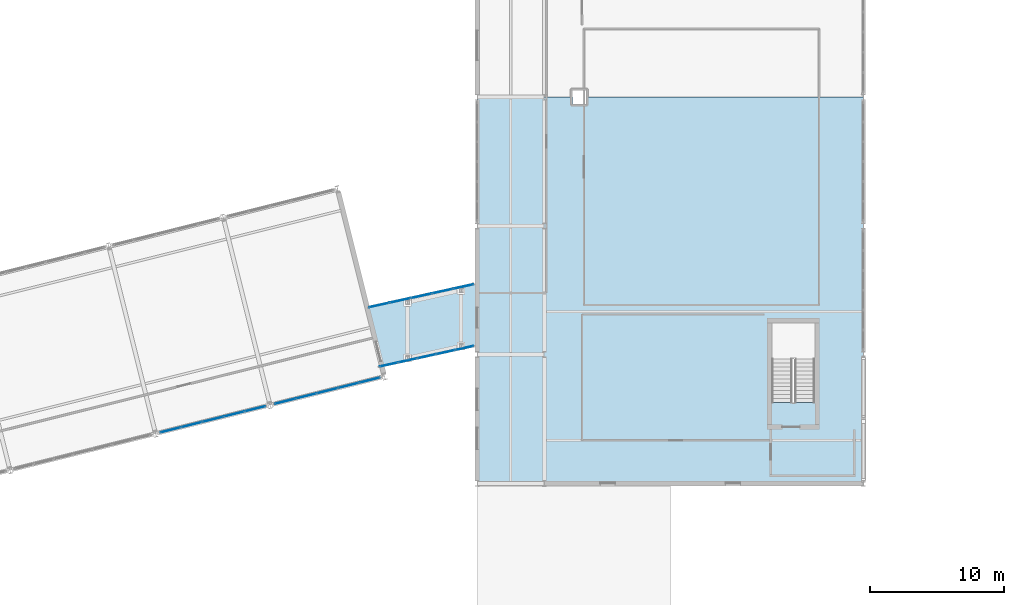
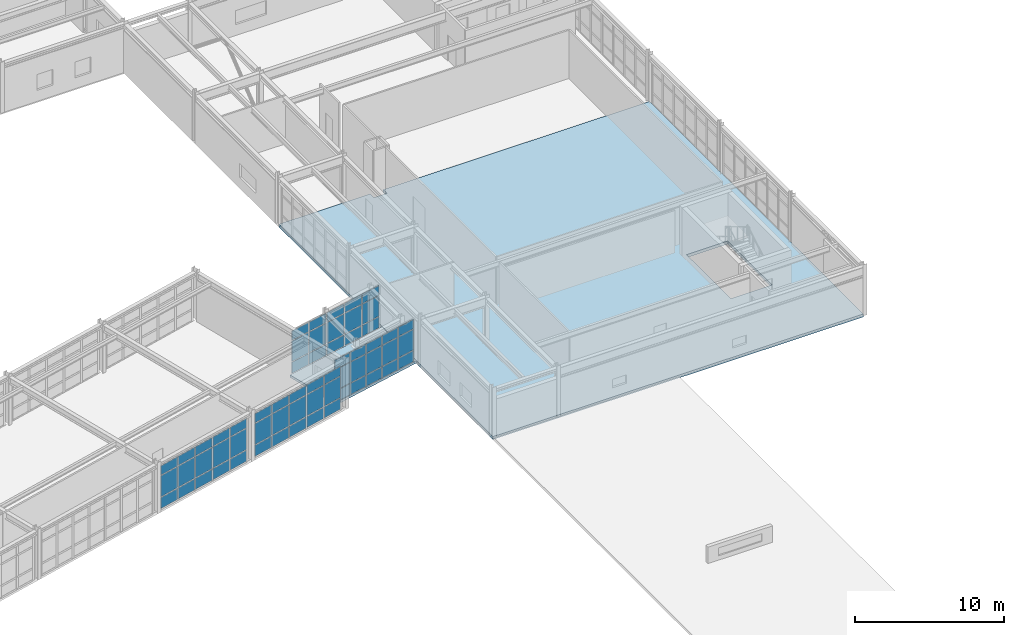
# One storey, part 53 of 88: 60 plates, 2 slabs, 4 elements without a shape of their own.
"""IFC4 building model written with IfcOpenShell, lengths in metres."""

from ifc_helpers import new_model, si_unit, direction, frame, origin, origin_2d, place, context, subcontext, project, spatial, polyline, rectangle, outline, extrude, material, layer, layer_set, type_object, element, aggregate, save


model = new_model("IFC4")

# Units and contexts
model_context = context("Model", 3, precision=1e-05, world=origin(), true_north=direction((0.0, 1.0)))
body_context = subcontext(model_context, "Body", "Model", "MODEL_VIEW")
ifc_project = project(units=[si_unit("LENGTHUNIT", "METRE"), si_unit("AREAUNIT", "SQUARE_METRE"), si_unit("VOLUMEUNIT", "CUBIC_METRE"), si_unit("PLANEANGLEUNIT", "RADIAN"), si_unit("MASSUNIT", "GRAM", prefix="KILO")], contexts=[model_context])

# Site, building, storey
site_placement = place(None, origin())
site = spatial("IfcSite", under=ifc_project, at=site_placement, CompositionType="ELEMENT")
building_placement = place(site_placement, origin())
building = spatial("IfcBuilding", under=site, at=building_placement, Name="Nordkorset Police Headquarters", CompositionType="ELEMENT")
storey_placement = place(building_placement, frame((0.0, 0.0, 9.449951171875)))
storey = spatial("IfcBuildingStorey", under=building, at=storey_placement, Name="L02", CompositionType="ELEMENT", Elevation=9.449951171875)

# Curtain wall, plates
ifc_material_1 = material(Name="Aluminium alloy AW-6060", Category="aluminium")
ifc_layer_1 = layer(ifc_material_1, 0.179931640625, Name="Aluminium alloy AW-6060")
ifc_layer_set_1 = layer_set([ifc_layer_1], Name="Aluminium alloy AW-6060")
curtain_wall_type_1 = type_object("IfcCurtainWallType", Name="CW_Unit_816x364", PredefinedType="USERDEFINED", material=ifc_layer_set_1)
curtain_wall_1_placement = place(storey_placement, origin())
curtain_wall_1 = element("IfcCurtainWall", 1, at=curtain_wall_1_placement, inside=storey, type_object=curtain_wall_type_1, Name="Unitised Curtain Wall L02 V4S-4", ObjectType="UNITISED CURTAIN WALL", PredefinedType="USERDEFINED")
ifc_material_2 = material(Name="Low-iron triple glazing", Category="glass")
ifc_layer_2 = layer(ifc_material_2, 0.035888671875, Name="Low-iron triple glazing")
ifc_layer_set_2 = layer_set([ifc_layer_2], Name="Low-iron triple glazing")
plate_type = type_object("IfcPlateType", Name="CW_Panel_TripleGlazing_36", PredefinedType="CURTAIN_PANEL", material=ifc_layer_set_2)
plate_1_placement = place(storey_placement, frame((63.5234375, 51.98095703125, 0.06494140625), z_axis=(0.0, 0.0, 1.0), x_axis=(0.970142500145, 0.242535625038, 0.0)))
plate_1 = element("IfcPlate", 2, at=plate_1_placement, type_object=plate_type, Name="CW-64 panel 1.1", PredefinedType="CURTAIN_PANEL", context=body_context, shape_type="SweptSolid", body=[
    extrude(rectangle(XDim=1.534423828125, YDim=0.035888671875, at=origin_2d()), origin(), (0.0, 0.0, 1.0), 0.902587890625),
])
plate_2_placement = place(storey_placement, frame((63.5234375, 51.98095703125, 1.032470703125), z_axis=(0.0, 0.0, 1.0), x_axis=(0.970142500145, 0.242535625038, 0.0)))
plate_2 = element("IfcPlate", 3, at=plate_2_placement, type_object=plate_type, Name="CW-64 panel 1.2", PredefinedType="CURTAIN_PANEL", context=body_context, shape_type="SweptSolid", body=[
    extrude(rectangle(XDim=1.534423828125, YDim=0.035888671875, at=origin_2d()), origin(), (0.0, 0.0, 1.0), 1.72509765625),
])
plate_3_placement = place(storey_placement, frame((63.5234375, 51.98095703125, 2.822509765625), z_axis=(0.0, 0.0, 1.0), x_axis=(0.970142500145, 0.242535625038, 0.0)))
plate_3 = element("IfcPlate", 4, at=plate_3_placement, type_object=plate_type, Name="CW-64 panel 1.3", PredefinedType="CURTAIN_PANEL", context=body_context, shape_type="SweptSolid", body=[
    extrude(rectangle(XDim=1.534423828125, YDim=0.035888671875, at=origin_2d()), origin(), (0.0, 0.0, 1.0), 0.75244140625),
])
plate_4_placement = place(storey_placement, frame((65.091064453125, 52.372802734375, 0.06494140625), z_axis=(0.0, 0.0, 1.0), x_axis=(0.970142500145, 0.242535625038, 0.0)))
plate_4 = element("IfcPlate", 5, at=plate_4_placement, type_object=plate_type, Name="CW-64 panel 2.1", PredefinedType="CURTAIN_PANEL", context=body_context, shape_type="SweptSolid", body=[
    extrude(rectangle(XDim=1.56689453125, YDim=0.035888671875, at=origin_2d()), origin(), (0.0, 0.0, 1.0), 0.902587890625),
])
plate_5_placement = place(storey_placement, frame((65.091064453125, 52.372802734375, 1.032470703125), z_axis=(0.0, 0.0, 1.0), x_axis=(0.970142500145, 0.242535625038, 0.0)))
plate_5 = element("IfcPlate", 6, at=plate_5_placement, type_object=plate_type, Name="CW-64 panel 2.2", PredefinedType="CURTAIN_PANEL", context=body_context, shape_type="SweptSolid", body=[
    extrude(rectangle(XDim=1.56689453125, YDim=0.035888671875, at=origin_2d()), origin(), (0.0, 0.0, 1.0), 1.72509765625),
])
plate_6_placement = place(storey_placement, frame((65.091064453125, 52.372802734375, 2.822509765625), z_axis=(0.0, 0.0, 1.0), x_axis=(0.970142500145, 0.242535625038, 0.0)))
plate_6 = element("IfcPlate", 7, at=plate_6_placement, type_object=plate_type, Name="CW-64 panel 2.3", PredefinedType="CURTAIN_PANEL", context=body_context, shape_type="SweptSolid", body=[
    extrude(rectangle(XDim=1.56689453125, YDim=0.035888671875, at=origin_2d()), origin(), (0.0, 0.0, 1.0), 0.75244140625),
])
plate_7_placement = place(storey_placement, frame((66.67431640625, 52.7685546875, 0.06494140625), z_axis=(0.0, 0.0, 1.0), x_axis=(0.970142500145, 0.242535625038, 0.0)))
plate_7 = element("IfcPlate", 8, at=plate_7_placement, type_object=plate_type, Name="CW-64 panel 3.1", PredefinedType="CURTAIN_PANEL", context=body_context, shape_type="SweptSolid", body=[
    extrude(rectangle(XDim=1.56689453125, YDim=0.035888671875, at=origin_2d()), origin(), (0.0, 0.0, 1.0), 0.902587890625),
])
plate_8_placement = place(storey_placement, frame((66.67431640625, 52.7685546875, 1.032470703125), z_axis=(0.0, 0.0, 1.0), x_axis=(0.970142500145, 0.242535625038, 0.0)))
plate_8 = element("IfcPlate", 9, at=plate_8_placement, type_object=plate_type, Name="CW-64 panel 3.2", PredefinedType="CURTAIN_PANEL", context=body_context, shape_type="SweptSolid", body=[
    extrude(rectangle(XDim=1.56689453125, YDim=0.035888671875, at=origin_2d()), origin(), (0.0, 0.0, 1.0), 1.72509765625),
])
plate_9_placement = place(storey_placement, frame((66.67431640625, 52.7685546875, 2.822509765625), z_axis=(0.0, 0.0, 1.0), x_axis=(0.970142500145, 0.242535625038, 0.0)))
plate_9 = element("IfcPlate", 10, at=plate_9_placement, type_object=plate_type, Name="CW-64 panel 3.3", PredefinedType="CURTAIN_PANEL", context=body_context, shape_type="SweptSolid", body=[
    extrude(rectangle(XDim=1.56689453125, YDim=0.035888671875, at=origin_2d()), origin(), (0.0, 0.0, 1.0), 0.75244140625),
])
plate_10_placement = place(storey_placement, frame((68.257568359375, 53.164306640625, 0.06494140625), z_axis=(0.0, 0.0, 1.0), x_axis=(0.970142500145, 0.242535625038, 0.0)))
plate_10 = element("IfcPlate", 11, at=plate_10_placement, type_object=plate_type, Name="CW-64 panel 4.1", PredefinedType="CURTAIN_PANEL", context=body_context, shape_type="SweptSolid", body=[
    extrude(rectangle(XDim=1.56689453125, YDim=0.035888671875, at=origin_2d()), origin(), (0.0, 0.0, 1.0), 0.902587890625),
])
plate_11_placement = place(storey_placement, frame((68.257568359375, 53.164306640625, 1.032470703125), z_axis=(0.0, 0.0, 1.0), x_axis=(0.970142500145, 0.242535625038, 0.0)))
plate_11 = element("IfcPlate", 12, at=plate_11_placement, type_object=plate_type, Name="CW-64 panel 4.2", PredefinedType="CURTAIN_PANEL", context=body_context, shape_type="SweptSolid", body=[
    extrude(rectangle(XDim=1.56689453125, YDim=0.035888671875, at=origin_2d()), origin(), (0.0, 0.0, 1.0), 1.72509765625),
])
plate_12_placement = place(storey_placement, frame((68.257568359375, 53.164306640625, 2.822509765625), z_axis=(0.0, 0.0, 1.0), x_axis=(0.970142500145, 0.242535625038, 0.0)))
plate_12 = element("IfcPlate", 13, at=plate_12_placement, type_object=plate_type, Name="CW-64 panel 4.3", PredefinedType="CURTAIN_PANEL", context=body_context, shape_type="SweptSolid", body=[
    extrude(rectangle(XDim=1.56689453125, YDim=0.035888671875, at=origin_2d()), origin(), (0.0, 0.0, 1.0), 0.75244140625),
])
plate_13_placement = place(storey_placement, frame((69.8251953125, 53.556396484375, 0.06494140625), z_axis=(0.0, 0.0, 1.0), x_axis=(0.970142500145, 0.242535625038, 0.0)))
plate_13 = element("IfcPlate", 14, at=plate_13_placement, type_object=plate_type, Name="CW-64 panel 5.1", PredefinedType="CURTAIN_PANEL", context=body_context, shape_type="SweptSolid", body=[
    extrude(rectangle(XDim=1.534423828125, YDim=0.035888671875, at=origin_2d()), origin(), (0.0, 0.0, 1.0), 0.902587890625),
])
plate_14_placement = place(storey_placement, frame((69.8251953125, 53.556396484375, 1.032470703125), z_axis=(0.0, 0.0, 1.0), x_axis=(0.970142500145, 0.242535625038, 0.0)))
plate_14 = element("IfcPlate", 15, at=plate_14_placement, type_object=plate_type, Name="CW-64 panel 5.2", PredefinedType="CURTAIN_PANEL", context=body_context, shape_type="SweptSolid", body=[
    extrude(rectangle(XDim=1.534423828125, YDim=0.035888671875, at=origin_2d()), origin(), (0.0, 0.0, 1.0), 1.72509765625),
])
plate_15_placement = place(storey_placement, frame((69.8251953125, 53.556396484375, 2.822509765625), z_axis=(0.0, 0.0, 1.0), x_axis=(0.970142500145, 0.242535625038, 0.0)))
plate_15 = element("IfcPlate", 16, at=plate_15_placement, type_object=plate_type, Name="CW-64 panel 5.3", PredefinedType="CURTAIN_PANEL", context=body_context, shape_type="SweptSolid", body=[
    extrude(rectangle(XDim=1.534423828125, YDim=0.035888671875, at=origin_2d()), origin(), (0.0, 0.0, 1.0), 0.75244140625),
])
aggregate(curtain_wall_1, [plate_1, plate_2, plate_3, plate_4, plate_5, plate_6, plate_7, plate_8, plate_9, plate_10, plate_11, plate_12, plate_13, plate_14, plate_15])

curtain_wall_2_placement = place(storey_placement, origin())
curtain_wall_2 = element("IfcCurtainWall", 17, at=curtain_wall_2_placement, inside=storey, type_object=curtain_wall_type_1, Name="Unitised Curtain Wall L02 V4S-5", ObjectType="UNITISED CURTAIN WALL", PredefinedType="USERDEFINED")
plate_16_placement = place(storey_placement, frame((72.060791015625, 54.115234375, 0.06494140625), z_axis=(0.0, 0.0, 1.0), x_axis=(0.970142500145, 0.242535625038, 0.0)))
plate_16 = element("IfcPlate", 18, at=plate_16_placement, type_object=plate_type, Name="CW-64 panel 1.1", PredefinedType="CURTAIN_PANEL", context=body_context, shape_type="SweptSolid", body=[
    extrude(rectangle(XDim=1.534423828125, YDim=0.035888671875, at=origin_2d()), origin(), (0.0, 0.0, 1.0), 0.902587890625),
])
plate_17_placement = place(storey_placement, frame((72.060791015625, 54.115234375, 1.032470703125), z_axis=(0.0, 0.0, 1.0), x_axis=(0.970142500145, 0.242535625038, 0.0)))
plate_17 = element("IfcPlate", 19, at=plate_17_placement, type_object=plate_type, Name="CW-64 panel 1.2", PredefinedType="CURTAIN_PANEL", context=body_context, shape_type="SweptSolid", body=[
    extrude(rectangle(XDim=1.534423828125, YDim=0.035888671875, at=origin_2d()), origin(), (0.0, 0.0, 1.0), 1.72509765625),
])
plate_18_placement = place(storey_placement, frame((72.060791015625, 54.115234375, 2.822509765625), z_axis=(0.0, 0.0, 1.0), x_axis=(0.970142500145, 0.242535625038, 0.0)))
plate_18 = element("IfcPlate", 20, at=plate_18_placement, type_object=plate_type, Name="CW-64 panel 1.3", PredefinedType="CURTAIN_PANEL", context=body_context, shape_type="SweptSolid", body=[
    extrude(rectangle(XDim=1.534423828125, YDim=0.035888671875, at=origin_2d()), origin(), (0.0, 0.0, 1.0), 0.75244140625),
])
plate_19_placement = place(storey_placement, frame((73.62841796875, 54.507080078125, 0.06494140625), z_axis=(0.0, 0.0, 1.0), x_axis=(0.970142500145, 0.242535625038, 0.0)))
plate_19 = element("IfcPlate", 21, at=plate_19_placement, type_object=plate_type, Name="CW-64 panel 2.1", PredefinedType="CURTAIN_PANEL", context=body_context, shape_type="SweptSolid", body=[
    extrude(rectangle(XDim=1.56689453125, YDim=0.035888671875, at=origin_2d()), origin(), (0.0, 0.0, 1.0), 0.902587890625),
])
plate_20_placement = place(storey_placement, frame((73.62841796875, 54.507080078125, 1.032470703125), z_axis=(0.0, 0.0, 1.0), x_axis=(0.970142500145, 0.242535625038, 0.0)))
plate_20 = element("IfcPlate", 22, at=plate_20_placement, type_object=plate_type, Name="CW-64 panel 2.2", PredefinedType="CURTAIN_PANEL", context=body_context, shape_type="SweptSolid", body=[
    extrude(rectangle(XDim=1.56689453125, YDim=0.035888671875, at=origin_2d()), origin(), (0.0, 0.0, 1.0), 1.72509765625),
])
plate_21_placement = place(storey_placement, frame((73.62841796875, 54.507080078125, 2.822509765625), z_axis=(0.0, 0.0, 1.0), x_axis=(0.970142500145, 0.242535625038, 0.0)))
plate_21 = element("IfcPlate", 23, at=plate_21_placement, type_object=plate_type, Name="CW-64 panel 2.3", PredefinedType="CURTAIN_PANEL", context=body_context, shape_type="SweptSolid", body=[
    extrude(rectangle(XDim=1.56689453125, YDim=0.035888671875, at=origin_2d()), origin(), (0.0, 0.0, 1.0), 0.75244140625),
])
plate_22_placement = place(storey_placement, frame((75.211669921875, 54.90283203125, 0.06494140625), z_axis=(0.0, 0.0, 1.0), x_axis=(0.970142500145, 0.242535625038, 0.0)))
plate_22 = element("IfcPlate", 24, at=plate_22_placement, type_object=plate_type, Name="CW-64 panel 3.1", PredefinedType="CURTAIN_PANEL", context=body_context, shape_type="SweptSolid", body=[
    extrude(rectangle(XDim=1.56689453125, YDim=0.035888671875, at=origin_2d()), origin(), (0.0, 0.0, 1.0), 0.902587890625),
])
plate_23_placement = place(storey_placement, frame((75.211669921875, 54.90283203125, 1.032470703125), z_axis=(0.0, 0.0, 1.0), x_axis=(0.970142500145, 0.242535625038, 0.0)))
plate_23 = element("IfcPlate", 25, at=plate_23_placement, type_object=plate_type, Name="CW-64 panel 3.2", PredefinedType="CURTAIN_PANEL", context=body_context, shape_type="SweptSolid", body=[
    extrude(rectangle(XDim=1.56689453125, YDim=0.035888671875, at=origin_2d()), origin(), (0.0, 0.0, 1.0), 1.72509765625),
])
plate_24_placement = place(storey_placement, frame((75.211669921875, 54.90283203125, 2.822509765625), z_axis=(0.0, 0.0, 1.0), x_axis=(0.970142500145, 0.242535625038, 0.0)))
plate_24 = element("IfcPlate", 26, at=plate_24_placement, type_object=plate_type, Name="CW-64 panel 3.3", PredefinedType="CURTAIN_PANEL", context=body_context, shape_type="SweptSolid", body=[
    extrude(rectangle(XDim=1.56689453125, YDim=0.035888671875, at=origin_2d()), origin(), (0.0, 0.0, 1.0), 0.75244140625),
])
plate_25_placement = place(storey_placement, frame((76.794921875, 55.298828125, 0.06494140625), z_axis=(0.0, 0.0, 1.0), x_axis=(0.970142500145, 0.242535625038, 0.0)))
plate_25 = element("IfcPlate", 27, at=plate_25_placement, type_object=plate_type, Name="CW-64 panel 4.1", PredefinedType="CURTAIN_PANEL", context=body_context, shape_type="SweptSolid", body=[
    extrude(rectangle(XDim=1.56689453125, YDim=0.035888671875, at=origin_2d()), origin(), (0.0, 0.0, 1.0), 0.902587890625),
])
plate_26_placement = place(storey_placement, frame((76.794921875, 55.298828125, 1.032470703125), z_axis=(0.0, 0.0, 1.0), x_axis=(0.970142500145, 0.242535625038, 0.0)))
plate_26 = element("IfcPlate", 28, at=plate_26_placement, type_object=plate_type, Name="CW-64 panel 4.2", PredefinedType="CURTAIN_PANEL", context=body_context, shape_type="SweptSolid", body=[
    extrude(rectangle(XDim=1.56689453125, YDim=0.035888671875, at=origin_2d()), origin(), (0.0, 0.0, 1.0), 1.72509765625),
])
plate_27_placement = place(storey_placement, frame((76.794921875, 55.298828125, 2.822509765625), z_axis=(0.0, 0.0, 1.0), x_axis=(0.970142500145, 0.242535625038, 0.0)))
plate_27 = element("IfcPlate", 29, at=plate_27_placement, type_object=plate_type, Name="CW-64 panel 4.3", PredefinedType="CURTAIN_PANEL", context=body_context, shape_type="SweptSolid", body=[
    extrude(rectangle(XDim=1.56689453125, YDim=0.035888671875, at=origin_2d()), origin(), (0.0, 0.0, 1.0), 0.75244140625),
])
plate_28_placement = place(storey_placement, frame((78.3623046875, 55.690673828125, 0.06494140625), z_axis=(0.0, 0.0, 1.0), x_axis=(0.970142500145, 0.242535625038, 0.0)))
plate_28 = element("IfcPlate", 30, at=plate_28_placement, type_object=plate_type, Name="CW-64 panel 5.1", PredefinedType="CURTAIN_PANEL", context=body_context, shape_type="SweptSolid", body=[
    extrude(rectangle(XDim=1.534423828125, YDim=0.035888671875, at=origin_2d()), origin(), (0.0, 0.0, 1.0), 0.902587890625),
])
plate_29_placement = place(storey_placement, frame((78.3623046875, 55.690673828125, 1.032470703125), z_axis=(0.0, 0.0, 1.0), x_axis=(0.970142500145, 0.242535625038, 0.0)))
plate_29 = element("IfcPlate", 31, at=plate_29_placement, type_object=plate_type, Name="CW-64 panel 5.2", PredefinedType="CURTAIN_PANEL", context=body_context, shape_type="SweptSolid", body=[
    extrude(rectangle(XDim=1.534423828125, YDim=0.035888671875, at=origin_2d()), origin(), (0.0, 0.0, 1.0), 1.72509765625),
])
plate_30_placement = place(storey_placement, frame((78.3623046875, 55.690673828125, 2.822509765625), z_axis=(0.0, 0.0, 1.0), x_axis=(0.970142500145, 0.242535625038, 0.0)))
plate_30 = element("IfcPlate", 32, at=plate_30_placement, type_object=plate_type, Name="CW-64 panel 5.3", PredefinedType="CURTAIN_PANEL", context=body_context, shape_type="SweptSolid", body=[
    extrude(rectangle(XDim=1.534423828125, YDim=0.035888671875, at=origin_2d()), origin(), (0.0, 0.0, 1.0), 0.75244140625),
])
aggregate(curtain_wall_2, [plate_16, plate_17, plate_18, plate_19, plate_20, plate_21, plate_22, plate_23, plate_24, plate_25, plate_26, plate_27, plate_28, plate_29, plate_30])

ifc_material_3 = material(Name="Aluminium alloy AW-6060", Category="aluminium")
ifc_layer_3 = layer(ifc_material_3, 0.179931640625, Name="Aluminium alloy AW-6060")
ifc_layer_set_3 = layer_set([ifc_layer_3], Name="Aluminium alloy AW-6060")
curtain_wall_type_2 = type_object("IfcCurtainWallType", Name="CW_Unit_727x360", PredefinedType="USERDEFINED", material=ifc_layer_set_3)
curtain_wall_3_placement = place(storey_placement, origin())
curtain_wall_3 = element("IfcCurtainWall", 33, at=curtain_wall_3_placement, inside=storey, type_object=curtain_wall_type_2, Name="Unitised Curtain Wall L02 BRGE-S", ObjectType="UNITISED CURTAIN WALL", PredefinedType="USERDEFINED")
plate_31_placement = place(storey_placement, frame((79.801513671875, 56.857177734375, 0.06494140625), z_axis=(0.0, 0.0, 1.0), x_axis=(0.976891325695, 0.213736608425, 0.0)))
plate_31 = element("IfcPlate", 34, at=plate_31_placement, type_object=plate_type, Name="CW-22 panel 1.1", PredefinedType="CURTAIN_PANEL", context=body_context, shape_type="SweptSolid", body=[
    extrude(rectangle(XDim=1.355712890625, YDim=0.035888671875, at=origin_2d()), origin(), (0.0, 0.0, 1.0), 0.902587890625),
])
plate_32_placement = place(storey_placement, frame((79.801513671875, 56.857177734375, 1.03271484375), z_axis=(0.0, 0.0, 1.0), x_axis=(0.976891325695, 0.213736608425, 0.0)))
plate_32 = element("IfcPlate", 35, at=plate_32_placement, type_object=plate_type, Name="CW-22 panel 1.2", PredefinedType="CURTAIN_PANEL", context=body_context, shape_type="SweptSolid", body=[
    extrude(rectangle(XDim=1.355712890625, YDim=0.035888671875, at=origin_2d()), origin(), (0.0, 0.0, 1.0), 1.679931640625),
])
plate_33_placement = place(storey_placement, frame((79.801513671875, 56.857177734375, 2.777587890625), z_axis=(0.0, 0.0, 1.0), x_axis=(0.976891325695, 0.213736608425, 0.0)))
plate_33 = element("IfcPlate", 36, at=plate_33_placement, type_object=plate_type, Name="CW-22 panel 1.3", PredefinedType="CURTAIN_PANEL", context=body_context, shape_type="SweptSolid", body=[
    extrude(rectangle(XDim=1.355712890625, YDim=0.035888671875, at=origin_2d()), origin(), (0.0, 0.0, 1.0), 0.75244140625),
])
plate_34_placement = place(storey_placement, frame((81.205322265625, 57.164306640625, 0.06494140625), z_axis=(0.0, 0.0, 1.0), x_axis=(0.976891325695, 0.213736608425, 0.0)))
plate_34 = element("IfcPlate", 37, at=plate_34_placement, type_object=plate_type, Name="CW-22 panel 2.1", PredefinedType="CURTAIN_PANEL", context=body_context, shape_type="SweptSolid", body=[
    extrude(rectangle(XDim=1.38818359375, YDim=0.035888671875, at=origin_2d()), origin(), (0.0, 0.0, 1.0), 0.902587890625),
])
plate_35_placement = place(storey_placement, frame((81.205322265625, 57.164306640625, 1.03271484375), z_axis=(0.0, 0.0, 1.0), x_axis=(0.976891325695, 0.213736608425, 0.0)))
plate_35 = element("IfcPlate", 38, at=plate_35_placement, type_object=plate_type, Name="CW-22 panel 2.2", PredefinedType="CURTAIN_PANEL", context=body_context, shape_type="SweptSolid", body=[
    extrude(rectangle(XDim=1.38818359375, YDim=0.035888671875, at=origin_2d()), origin(), (0.0, 0.0, 1.0), 1.679931640625),
])
plate_36_placement = place(storey_placement, frame((81.205322265625, 57.164306640625, 2.777587890625), z_axis=(0.0, 0.0, 1.0), x_axis=(0.976891325695, 0.213736608425, 0.0)))
plate_36 = element("IfcPlate", 39, at=plate_36_placement, type_object=plate_type, Name="CW-22 panel 2.3", PredefinedType="CURTAIN_PANEL", context=body_context, shape_type="SweptSolid", body=[
    extrude(rectangle(XDim=1.38818359375, YDim=0.035888671875, at=origin_2d()), origin(), (0.0, 0.0, 1.0), 0.75244140625),
])
plate_37_placement = place(storey_placement, frame((82.625, 57.47509765625, 0.06494140625), z_axis=(0.0, 0.0, 1.0), x_axis=(0.976891325695, 0.213736608425, 0.0)))
plate_37 = element("IfcPlate", 40, at=plate_37_placement, type_object=plate_type, Name="CW-22 panel 3.1", PredefinedType="CURTAIN_PANEL", context=body_context, shape_type="SweptSolid", body=[
    extrude(rectangle(XDim=1.38818359375, YDim=0.035888671875, at=origin_2d()), origin(), (0.0, 0.0, 1.0), 0.902587890625),
])
plate_38_placement = place(storey_placement, frame((82.625, 57.47509765625, 1.03271484375), z_axis=(0.0, 0.0, 1.0), x_axis=(0.976891325695, 0.213736608425, 0.0)))
plate_38 = element("IfcPlate", 41, at=plate_38_placement, type_object=plate_type, Name="CW-22 panel 3.2", PredefinedType="CURTAIN_PANEL", context=body_context, shape_type="SweptSolid", body=[
    extrude(rectangle(XDim=1.38818359375, YDim=0.035888671875, at=origin_2d()), origin(), (0.0, 0.0, 1.0), 1.679931640625),
])
plate_39_placement = place(storey_placement, frame((82.625, 57.47509765625, 2.777587890625), z_axis=(0.0, 0.0, 1.0), x_axis=(0.976891325695, 0.213736608425, 0.0)))
plate_39 = element("IfcPlate", 42, at=plate_39_placement, type_object=plate_type, Name="CW-22 panel 3.3", PredefinedType="CURTAIN_PANEL", context=body_context, shape_type="SweptSolid", body=[
    extrude(rectangle(XDim=1.38818359375, YDim=0.035888671875, at=origin_2d()), origin(), (0.0, 0.0, 1.0), 0.75244140625),
])
plate_40_placement = place(storey_placement, frame((84.044677734375, 57.78564453125, 0.06494140625), z_axis=(0.0, 0.0, 1.0), x_axis=(0.976891325695, 0.213736608425, 0.0)))
plate_40 = element("IfcPlate", 43, at=plate_40_placement, type_object=plate_type, Name="CW-22 panel 4.1", PredefinedType="CURTAIN_PANEL", context=body_context, shape_type="SweptSolid", body=[
    extrude(rectangle(XDim=1.38818359375, YDim=0.035888671875, at=origin_2d()), origin(), (0.0, 0.0, 1.0), 0.902587890625),
])
plate_41_placement = place(storey_placement, frame((84.044677734375, 57.78564453125, 1.03271484375), z_axis=(0.0, 0.0, 1.0), x_axis=(0.976891325695, 0.213736608425, 0.0)))
plate_41 = element("IfcPlate", 44, at=plate_41_placement, type_object=plate_type, Name="CW-22 panel 4.2", PredefinedType="CURTAIN_PANEL", context=body_context, shape_type="SweptSolid", body=[
    extrude(rectangle(XDim=1.38818359375, YDim=0.035888671875, at=origin_2d()), origin(), (0.0, 0.0, 1.0), 1.679931640625),
])
plate_42_placement = place(storey_placement, frame((84.044677734375, 57.78564453125, 2.777587890625), z_axis=(0.0, 0.0, 1.0), x_axis=(0.976891325695, 0.213736608425, 0.0)))
plate_42 = element("IfcPlate", 45, at=plate_42_placement, type_object=plate_type, Name="CW-22 panel 4.3", PredefinedType="CURTAIN_PANEL", context=body_context, shape_type="SweptSolid", body=[
    extrude(rectangle(XDim=1.38818359375, YDim=0.035888671875, at=origin_2d()), origin(), (0.0, 0.0, 1.0), 0.75244140625),
])
plate_43_placement = place(storey_placement, frame((85.448486328125, 58.0927734375, 0.06494140625), z_axis=(0.0, 0.0, 1.0), x_axis=(0.976891325695, 0.213736608425, 0.0)))
plate_43 = element("IfcPlate", 46, at=plate_43_placement, type_object=plate_type, Name="CW-22 panel 5.1", PredefinedType="CURTAIN_PANEL", context=body_context, shape_type="SweptSolid", body=[
    extrude(rectangle(XDim=1.355712890625, YDim=0.035888671875, at=origin_2d()), origin(), (0.0, 0.0, 1.0), 0.902587890625),
])
plate_44_placement = place(storey_placement, frame((85.448486328125, 58.0927734375, 1.03271484375), z_axis=(0.0, 0.0, 1.0), x_axis=(0.976891325695, 0.213736608425, 0.0)))
plate_44 = element("IfcPlate", 47, at=plate_44_placement, type_object=plate_type, Name="CW-22 panel 5.2", PredefinedType="CURTAIN_PANEL", context=body_context, shape_type="SweptSolid", body=[
    extrude(rectangle(XDim=1.355712890625, YDim=0.035888671875, at=origin_2d()), origin(), (0.0, 0.0, 1.0), 1.679931640625),
])
plate_45_placement = place(storey_placement, frame((85.448486328125, 58.0927734375, 2.777587890625), z_axis=(0.0, 0.0, 1.0), x_axis=(0.976891325695, 0.213736608425, 0.0)))
plate_45 = element("IfcPlate", 48, at=plate_45_placement, type_object=plate_type, Name="CW-22 panel 5.3", PredefinedType="CURTAIN_PANEL", context=body_context, shape_type="SweptSolid", body=[
    extrude(rectangle(XDim=1.355712890625, YDim=0.035888671875, at=origin_2d()), origin(), (0.0, 0.0, 1.0), 0.75244140625),
])
aggregate(curtain_wall_3, [plate_31, plate_32, plate_33, plate_34, plate_35, plate_36, plate_37, plate_38, plate_39, plate_40, plate_41, plate_42, plate_43, plate_44, plate_45])

ifc_material_4 = material(Name="Aluminium alloy AW-6060", Category="aluminium")
ifc_layer_4 = layer(ifc_material_4, 0.179931640625, Name="Aluminium alloy AW-6060")
ifc_layer_set_4 = layer_set([ifc_layer_4], Name="Aluminium alloy AW-6060")
curtain_wall_type_3 = type_object("IfcCurtainWallType", Name="CW_Unit_809x360", PredefinedType="USERDEFINED", material=ifc_layer_set_4)
curtain_wall_4_placement = place(storey_placement, origin())
curtain_wall_4 = element("IfcCurtainWall", 49, at=curtain_wall_4_placement, inside=storey, type_object=curtain_wall_type_3, Name="Unitised Curtain Wall L02 BRGE-N", ObjectType="UNITISED CURTAIN WALL", PredefinedType="USERDEFINED")
plate_46_placement = place(storey_placement, frame((79.08154296875, 61.29541015625, 0.06494140625), z_axis=(0.0, 0.0, 1.0), x_axis=(0.976768327939, 0.214298001706, 0.0)))
plate_46 = element("IfcPlate", 50, at=plate_46_placement, type_object=plate_type, Name="CW-53 panel 1.1", PredefinedType="CURTAIN_PANEL", context=body_context, shape_type="SweptSolid", body=[
    extrude(rectangle(XDim=1.519775390625, YDim=0.035888671875, at=origin_2d()), origin(), (0.0, 0.0, 1.0), 0.902587890625),
])
plate_47_placement = place(storey_placement, frame((79.08154296875, 61.29541015625, 1.03271484375), z_axis=(0.0, 0.0, 1.0), x_axis=(0.976768327939, 0.214298001706, 0.0)))
plate_47 = element("IfcPlate", 51, at=plate_47_placement, type_object=plate_type, Name="CW-53 panel 1.2", PredefinedType="CURTAIN_PANEL", context=body_context, shape_type="SweptSolid", body=[
    extrude(rectangle(XDim=1.519775390625, YDim=0.035888671875, at=origin_2d()), origin(), (0.0, 0.0, 1.0), 1.679931640625),
])
plate_48_placement = place(storey_placement, frame((79.08154296875, 61.29541015625, 2.777587890625), z_axis=(0.0, 0.0, 1.0), x_axis=(0.976768327939, 0.214298001706, 0.0)))
plate_48 = element("IfcPlate", 52, at=plate_48_placement, type_object=plate_type, Name="CW-53 panel 1.3", PredefinedType="CURTAIN_PANEL", context=body_context, shape_type="SweptSolid", body=[
    extrude(rectangle(XDim=1.519775390625, YDim=0.035888671875, at=origin_2d()), origin(), (0.0, 0.0, 1.0), 0.75244140625),
])
plate_49_placement = place(storey_placement, frame((80.645263671875, 61.638427734375, 0.06494140625), z_axis=(0.0, 0.0, 1.0), x_axis=(0.976768327939, 0.214298001706, 0.0)))
plate_49 = element("IfcPlate", 53, at=plate_49_placement, type_object=plate_type, Name="CW-53 panel 2.1", PredefinedType="CURTAIN_PANEL", context=body_context, shape_type="SweptSolid", body=[
    extrude(rectangle(XDim=1.55224609375, YDim=0.035888671875, at=origin_2d()), origin(), (0.0, 0.0, 1.0), 0.902587890625),
])
plate_50_placement = place(storey_placement, frame((80.645263671875, 61.638427734375, 1.03271484375), z_axis=(0.0, 0.0, 1.0), x_axis=(0.976768327939, 0.214298001706, 0.0)))
plate_50 = element("IfcPlate", 54, at=plate_50_placement, type_object=plate_type, Name="CW-53 panel 2.2", PredefinedType="CURTAIN_PANEL", context=body_context, shape_type="SweptSolid", body=[
    extrude(rectangle(XDim=1.55224609375, YDim=0.035888671875, at=origin_2d()), origin(), (0.0, 0.0, 1.0), 1.679931640625),
])
plate_51_placement = place(storey_placement, frame((80.645263671875, 61.638427734375, 2.777587890625), z_axis=(0.0, 0.0, 1.0), x_axis=(0.976768327939, 0.214298001706, 0.0)))
plate_51 = element("IfcPlate", 55, at=plate_51_placement, type_object=plate_type, Name="CW-53 panel 2.3", PredefinedType="CURTAIN_PANEL", context=body_context, shape_type="SweptSolid", body=[
    extrude(rectangle(XDim=1.55224609375, YDim=0.035888671875, at=origin_2d()), origin(), (0.0, 0.0, 1.0), 0.75244140625),
])
plate_52_placement = place(storey_placement, frame((82.22509765625, 61.985107421875, 0.06494140625), z_axis=(0.0, 0.0, 1.0), x_axis=(0.976768327939, 0.214298001706, 0.0)))
plate_52 = element("IfcPlate", 56, at=plate_52_placement, type_object=plate_type, Name="CW-53 panel 3.1", PredefinedType="CURTAIN_PANEL", context=body_context, shape_type="SweptSolid", body=[
    extrude(rectangle(XDim=1.55224609375, YDim=0.035888671875, at=origin_2d()), origin(), (0.0, 0.0, 1.0), 0.902587890625),
])
plate_53_placement = place(storey_placement, frame((82.22509765625, 61.985107421875, 1.03271484375), z_axis=(0.0, 0.0, 1.0), x_axis=(0.976768327939, 0.214298001706, 0.0)))
plate_53 = element("IfcPlate", 57, at=plate_53_placement, type_object=plate_type, Name="CW-53 panel 3.2", PredefinedType="CURTAIN_PANEL", context=body_context, shape_type="SweptSolid", body=[
    extrude(rectangle(XDim=1.55224609375, YDim=0.035888671875, at=origin_2d()), origin(), (0.0, 0.0, 1.0), 1.679931640625),
])
plate_54_placement = place(storey_placement, frame((82.22509765625, 61.985107421875, 2.777587890625), z_axis=(0.0, 0.0, 1.0), x_axis=(0.976768327939, 0.214298001706, 0.0)))
plate_54 = element("IfcPlate", 58, at=plate_54_placement, type_object=plate_type, Name="CW-53 panel 3.3", PredefinedType="CURTAIN_PANEL", context=body_context, shape_type="SweptSolid", body=[
    extrude(rectangle(XDim=1.55224609375, YDim=0.035888671875, at=origin_2d()), origin(), (0.0, 0.0, 1.0), 0.75244140625),
])
plate_55_placement = place(storey_placement, frame((83.8046875, 62.33154296875, 0.06494140625), z_axis=(0.0, 0.0, 1.0), x_axis=(0.976768327939, 0.214298001706, 0.0)))
plate_55 = element("IfcPlate", 59, at=plate_55_placement, type_object=plate_type, Name="CW-53 panel 4.1", PredefinedType="CURTAIN_PANEL", context=body_context, shape_type="SweptSolid", body=[
    extrude(rectangle(XDim=1.55224609375, YDim=0.035888671875, at=origin_2d()), origin(), (0.0, 0.0, 1.0), 0.902587890625),
])
plate_56_placement = place(storey_placement, frame((83.8046875, 62.33154296875, 1.03271484375), z_axis=(0.0, 0.0, 1.0), x_axis=(0.976768327939, 0.214298001706, 0.0)))
plate_56 = element("IfcPlate", 60, at=plate_56_placement, type_object=plate_type, Name="CW-53 panel 4.2", PredefinedType="CURTAIN_PANEL", context=body_context, shape_type="SweptSolid", body=[
    extrude(rectangle(XDim=1.55224609375, YDim=0.035888671875, at=origin_2d()), origin(), (0.0, 0.0, 1.0), 1.679931640625),
])
plate_57_placement = place(storey_placement, frame((83.8046875, 62.33154296875, 2.777587890625), z_axis=(0.0, 0.0, 1.0), x_axis=(0.976768327939, 0.214298001706, 0.0)))
plate_57 = element("IfcPlate", 61, at=plate_57_placement, type_object=plate_type, Name="CW-53 panel 4.3", PredefinedType="CURTAIN_PANEL", context=body_context, shape_type="SweptSolid", body=[
    extrude(rectangle(XDim=1.55224609375, YDim=0.035888671875, at=origin_2d()), origin(), (0.0, 0.0, 1.0), 0.75244140625),
])
plate_58_placement = place(storey_placement, frame((85.368408203125, 62.674560546875, 0.06494140625), z_axis=(0.0, 0.0, 1.0), x_axis=(0.976768327939, 0.214298001706, 0.0)))
plate_58 = element("IfcPlate", 62, at=plate_58_placement, type_object=plate_type, Name="CW-53 panel 5.1", PredefinedType="CURTAIN_PANEL", context=body_context, shape_type="SweptSolid", body=[
    extrude(rectangle(XDim=1.519775390625, YDim=0.035888671875, at=origin_2d()), origin(), (0.0, 0.0, 1.0), 0.902587890625),
])
plate_59_placement = place(storey_placement, frame((85.368408203125, 62.674560546875, 1.03271484375), z_axis=(0.0, 0.0, 1.0), x_axis=(0.976768327939, 0.214298001706, 0.0)))
plate_59 = element("IfcPlate", 63, at=plate_59_placement, type_object=plate_type, Name="CW-53 panel 5.2", PredefinedType="CURTAIN_PANEL", context=body_context, shape_type="SweptSolid", body=[
    extrude(rectangle(XDim=1.519775390625, YDim=0.035888671875, at=origin_2d()), origin(), (0.0, 0.0, 1.0), 1.679931640625),
])
plate_60_placement = place(storey_placement, frame((85.368408203125, 62.674560546875, 2.777587890625), z_axis=(0.0, 0.0, 1.0), x_axis=(0.976768327939, 0.214298001706, 0.0)))
plate_60 = element("IfcPlate", 64, at=plate_60_placement, type_object=plate_type, Name="CW-53 panel 5.3", PredefinedType="CURTAIN_PANEL", context=body_context, shape_type="SweptSolid", body=[
    extrude(rectangle(XDim=1.519775390625, YDim=0.035888671875, at=origin_2d()), origin(), (0.0, 0.0, 1.0), 0.75244140625),
])
aggregate(curtain_wall_4, [plate_46, plate_47, plate_48, plate_49, plate_50, plate_51, plate_52, plate_53, plate_54, plate_55, plate_56, plate_57, plate_58, plate_59, plate_60])

# Slabs
ifc_material_5 = material(Name="Concrete C35/45", Category="concrete")
ifc_layer_5 = layer(ifc_material_5, 0.195068359375, Name="Concrete C35/45")
ifc_layer_set_5 = layer_set([ifc_layer_5], Name="Concrete C35/45")
slab_type_1 = type_object("IfcSlabType", Name="Slab_Bridge_195", PredefinedType="FLOOR", material=ifc_layer_set_5)
slab_1_placement = place(storey_placement, frame((0.0, 0.0, -0.195068359375)))
element("IfcSlab", 65, at=slab_1_placement, inside=storey, type_object=slab_type_1, Name="East Courtyard Glazed Link Bridge Floor Slab L02", PredefinedType="FLOOR", context=body_context, shape_type="SweptSolid", body=[
    extrude(outline(polyline([(86.39501953125, 62.89990234375), (86.39501953125, 58.300048828125), (79.28662109375, 56.744140625), (78.1962890625, 61.105712890625), (86.39501953125, 62.89990234375)])), origin(), (0.0, 0.0, 1.0), 0.195068359375),
])
ifc_material_6 = material(Name="Concrete C35/45", Category="concrete")
ifc_layer_6 = layer(ifc_material_6, 0.239990234375, Name="Concrete C35/45")
ifc_layer_set_6 = layer_set([ifc_layer_6], Name="Concrete C35/45")
slab_type_2 = type_object("IfcSlabType", Name="Slab_Lab_240", PredefinedType="FLOOR", material=ifc_layer_set_6)
slab_2_placement = place(storey_placement, frame((0.0, 0.0, -0.239990234375)))
element("IfcSlab", 66, at=slab_2_placement, inside=storey, type_object=slab_type_2, Name="Composite Floor Slab V5 South L02", PredefinedType="FLOOR", context=body_context, shape_type="SweptSolid", body=[
    extrude(outline(polyline([(86.405029296875, 76.800048828125), (93.5, 76.800048828125), (93.5, 76.300048828125), (94.5, 76.300048828125), (94.5, 76.800048828125), (115.199951171875, 76.800048828125), (115.199951171875, 48.0), (86.405029296875, 48.0), (86.405029296875, 76.800048828125)]), holes=[polyline([(111.574951171875, 59.97509765625), (108.375, 59.97509765625), (108.375, 54.028076171875), (111.574951171875, 54.028076171875), (111.574951171875, 59.97509765625)])]), origin(), (0.0, 0.0, 1.0), 0.239990234375),
])

save(model, "model.ifc")
